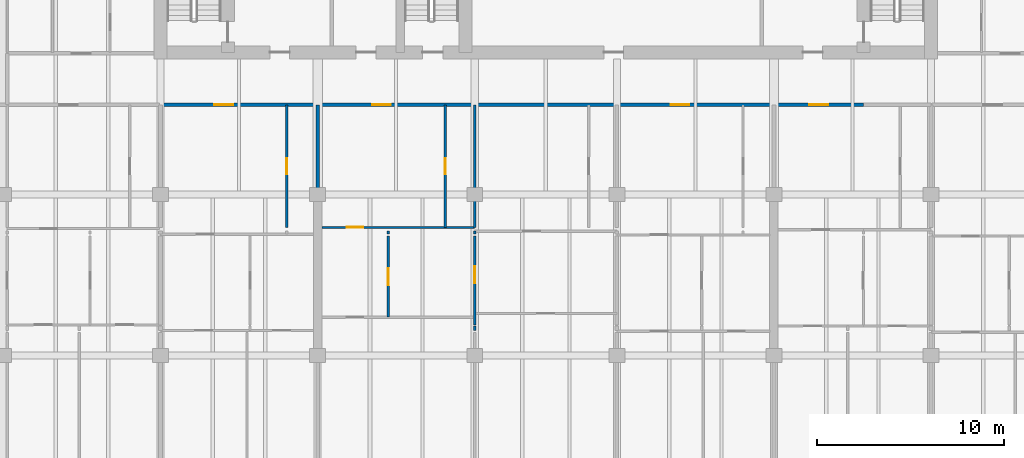
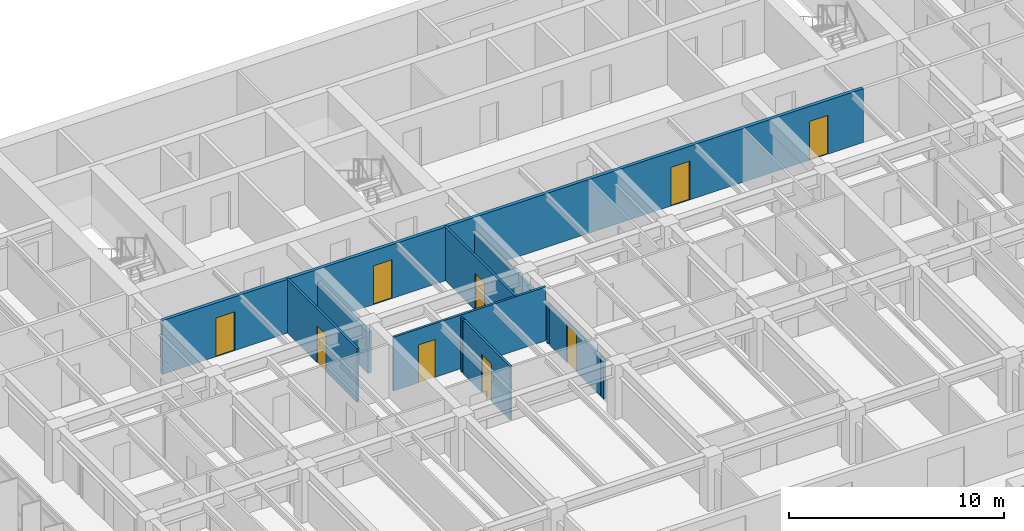
# One storey, part 9 of 19: 11 walls, 9 doors, 9 openings.
"""IFC4 building model written with IfcOpenShell, lengths in metres."""

from ifc_helpers import new_model, si_unit, direction, frame, frame_2d, origin, place, context, subcontext, project, spatial, rectangle, extrude, material, layer, layer_set, type_object, element, fill, save


model = new_model("IFC4")

# Units and contexts
model_context = context("Model", 3, precision=1e-05, world=origin(), true_north=direction((0.0, 1.0)))
body_context = subcontext(model_context, "Body", "Model", "MODEL_VIEW")
ifc_project = project(units=[si_unit("LENGTHUNIT", "METRE"), si_unit("AREAUNIT", "SQUARE_METRE"), si_unit("VOLUMEUNIT", "CUBIC_METRE"), si_unit("PLANEANGLEUNIT", "RADIAN"), si_unit("MASSUNIT", "GRAM", prefix="KILO")], contexts=[model_context])

# Site, building, storey
site_placement = place(None, origin())
site = spatial("IfcSite", under=ifc_project, at=site_placement, CompositionType="ELEMENT")
building_placement = place(site_placement, origin())
building = spatial("IfcBuilding", under=site, at=building_placement, Name="Caelmar Bay Residences", CompositionType="ELEMENT")
storey_placement = place(building_placement, frame((0.0, 0.0, 160.5)))
storey = spatial("IfcBuildingStorey", under=building, at=storey_placement, Name="L44", CompositionType="ELEMENT", Elevation=160.5)

# Wall, openings, doors
ifc_material_1 = material(Name="Double-stud acoustic fire-rated gypsum partition 180 mm")
ifc_layer_1 = layer(ifc_material_1, 0.179931640625)
ifc_layer_set_1 = layer_set([ifc_layer_1], Name="Double-stud acoustic fire-rated gypsum partition 180 mm")
wall_type_1 = type_object("IfcWallType", Name="W-COR-200", PredefinedType="PARTITIONING", material=ifc_layer_set_1)
wall_1_placement = place(storey_placement, frame((18.300048828125, 34.199951171875, 0.0), z_axis=(0.0, 0.0, 1.0), x_axis=(1.0, 0.0, 0.0)))
wall_1 = element("IfcWall", 1, at=wall_1_placement, inside=storey, type_object=wall_type_1, Name="L44 Partition Wall H123", PredefinedType="PARTITIONING", context=body_context, shape_type="SweptSolid", body=[
    extrude(rectangle(XDim=37.5859375, YDim=0.179931640625, at=frame_2d((18.79296875, 0.0))), origin(), (0.0, 0.0, 1.0), 3.050048828125),
])
opening_1_placement = place(wall_1_placement, frame((2.875, 0.0, 0.0)))
opening_1 = element("IfcOpeningElement", 2, at=opening_1_placement, cuts=wall_1, Name="Opening D-L44-129", PredefinedType="OPENING", context=body_context, shape_type="SweptSolid", body=[
    extrude(rectangle(XDim=1.0, YDim=2.199951171875, at=frame_2d((0.5, 1.10009765625))), frame((0.0, 0.099853515625, 0.0), z_axis=(0.0, -1.0, 0.0), x_axis=(1.0, 0.0, 0.0)), (0.0, 0.0, 1.0), 0.199951171875),
])
opening_2_placement = place(wall_1_placement, frame((11.31494140625, 0.0, 0.0)))
opening_2 = element("IfcOpeningElement", 3, at=opening_2_placement, cuts=wall_1, Name="Opening D-L44-135", PredefinedType="OPENING", context=body_context, shape_type="SweptSolid", body=[
    extrude(rectangle(XDim=1.0, YDim=2.199951171875, at=frame_2d((0.5, 1.10009765625))), frame((0.0, 0.099853515625, 0.0), z_axis=(0.0, -1.0, 0.0), x_axis=(1.0, 0.0, 0.0)), (0.0, 0.0, 1.0), 0.199951171875),
])
opening_3_placement = place(wall_1_placement, frame((27.27490234375, 0.0, 0.0)))
opening_3 = element("IfcOpeningElement", 4, at=opening_3_placement, cuts=wall_1, Name="Opening D-L44-145", PredefinedType="OPENING", context=body_context, shape_type="SweptSolid", body=[
    extrude(rectangle(XDim=1.0, YDim=2.199951171875, at=frame_2d((0.5, 1.10009765625))), frame((0.0, 0.099853515625, 0.0), z_axis=(0.0, -1.0, 0.0), x_axis=(1.0, 0.0, 0.0)), (0.0, 0.0, 1.0), 0.199951171875),
])
opening_4_placement = place(wall_1_placement, frame((34.693115234375, 0.0, 0.0)))
opening_4 = element("IfcOpeningElement", 5, at=opening_4_placement, cuts=wall_1, Name="Opening D-L44-151", PredefinedType="OPENING", context=body_context, shape_type="SweptSolid", body=[
    extrude(rectangle(XDim=1.0, YDim=2.199951171875, at=frame_2d((0.5, 1.10009765625))), frame((0.0, 0.099853515625, 0.0), z_axis=(0.0, -1.0, 0.0), x_axis=(1.0, 0.0, 0.0)), (0.0, 0.0, 1.0), 0.199951171875),
])
ifc_material_2 = material(Name="Fire-rated steel and walnut architectural door assembly", Category="steel")
ifc_layer_2 = layer(ifc_material_2, 0.050048828125)
ifc_layer_set_2 = layer_set([ifc_layer_2], Name="Fire-rated steel and walnut architectural door assembly")
door_type_1 = type_object("IfcDoorType", Name="D-UNIT-1000", OperationType="NOTDEFINED", PredefinedType="DOOR", material=ifc_layer_set_2)
door_1_placement = place(opening_1_placement, origin())
door_1 = element("IfcDoor", 6, at=door_1_placement, inside=storey, type_object=door_type_1, Name="L44 Residence 02 Apartment Hall Door", OperationType="SINGLE_SWING_RIGHT", OverallHeight=2.199951171875, OverallWidth=1.0, PredefinedType="DOOR", context=body_context, shape_type="SweptSolid", body=[
    extrude(rectangle(XDim=1.0, YDim=2.199951171875, at=frame_2d((0.5, 1.10009765625))), frame((0.0, 0.02490234375, 0.0), z_axis=(0.0, -1.0, 0.0), x_axis=(1.0, 0.0, 0.0)), (0.0, 0.0, 1.0), 0.050048828125),
])
fill(opening_1, door_1)
door_2_placement = place(opening_2_placement, origin())
door_2 = element("IfcDoor", 7, at=door_2_placement, inside=storey, type_object=door_type_1, Name="L44 Residence 03 Apartment Hall Door", OperationType="SINGLE_SWING_RIGHT", OverallHeight=2.199951171875, OverallWidth=1.0, PredefinedType="DOOR", context=body_context, shape_type="SweptSolid", body=[
    extrude(rectangle(XDim=1.0, YDim=2.199951171875, at=frame_2d((0.5, 1.10009765625))), frame((0.0, 0.02490234375, 0.0), z_axis=(0.0, -1.0, 0.0), x_axis=(1.0, 0.0, 0.0)), (0.0, 0.0, 1.0), 0.050048828125),
])
fill(opening_2, door_2)
door_3_placement = place(opening_3_placement, origin())
door_3 = element("IfcDoor", 8, at=door_3_placement, inside=storey, type_object=door_type_1, Name="L44 Residence 04 Apartment Hall Door", OperationType="SINGLE_SWING_RIGHT", OverallHeight=2.199951171875, OverallWidth=1.0, PredefinedType="DOOR", context=body_context, shape_type="SweptSolid", body=[
    extrude(rectangle(XDim=1.0, YDim=2.199951171875, at=frame_2d((0.5, 1.10009765625))), frame((0.0, 0.02490234375, 0.0), z_axis=(0.0, -1.0, 0.0), x_axis=(1.0, 0.0, 0.0)), (0.0, 0.0, 1.0), 0.050048828125),
])
fill(opening_3, door_3)
door_4_placement = place(opening_4_placement, origin())
door_4 = element("IfcDoor", 9, at=door_4_placement, inside=storey, type_object=door_type_1, Name="L44 Residence 05 Apartment Hall Door", OperationType="SINGLE_SWING_RIGHT", OverallHeight=2.199951171875, OverallWidth=1.0, PredefinedType="DOOR", context=body_context, shape_type="SweptSolid", body=[
    extrude(rectangle(XDim=1.0, YDim=2.199951171875, at=frame_2d((0.5, 1.10009765625))), frame((0.0, 0.02490234375, 0.0), z_axis=(0.0, -1.0, 0.0), x_axis=(1.0, 0.0, 0.0)), (0.0, 0.0, 1.0), 0.050048828125),
])
fill(opening_4, door_4)

# Wall, opening, door
ifc_material_3 = material(Name="Acoustic metal-stud gypsum partition 120 mm")
ifc_layer_3 = layer(ifc_material_3, 0.1201171875)
ifc_layer_set_3 = layer_set([ifc_layer_3], Name="Acoustic metal-stud gypsum partition 120 mm")
wall_type_2 = type_object("IfcWallType", Name="W-PRT-120", PredefinedType="PARTITIONING", material=ifc_layer_set_3)
wall_2_placement = place(storey_placement, frame((25.050048828125, 27.639892578125, 0.0), z_axis=(0.0, 0.0, 1.0), x_axis=(0.0, 1.0, 0.0)))
wall_2 = element("IfcWall", 10, at=wall_2_placement, inside=storey, type_object=wall_type_2, Name="L44 Partition Wall V029", PredefinedType="PARTITIONING", context=body_context, shape_type="SweptSolid", body=[
    extrude(rectangle(XDim=6.56005859375, YDim=0.1201171875, at=frame_2d((3.280029296875, 0.0))), origin(), (0.0, 0.0, 1.0), 3.050048828125),
])
opening_5_placement = place(wall_2_placement, frame((2.85498046875, 0.0, 0.0)))
opening_5 = element("IfcOpeningElement", 11, at=opening_5_placement, cuts=wall_2, Name="Opening D-L44-130", PredefinedType="OPENING", context=body_context, shape_type="SweptSolid", body=[
    extrude(rectangle(XDim=0.85009765625, YDim=2.10009765625, at=frame_2d((0.425048828125, 1.050048828125))), frame((0.0, 0.070068359375, 0.0), z_axis=(0.0, -1.0, 0.0), x_axis=(1.0, 0.0, 0.0)), (0.0, 0.0, 1.0), 0.14013671875),
])
ifc_material_4 = material(Name="Solid walnut timber interior door leaf and frame", Category="wood")
ifc_layer_4 = layer(ifc_material_4, 0.050048828125)
ifc_layer_set_4 = layer_set([ifc_layer_4], Name="Solid walnut timber interior door leaf and frame")
door_type_2 = type_object("IfcDoorType", Name="D-BATH-850", OperationType="NOTDEFINED", PredefinedType="DOOR", material=ifc_layer_set_4)
door_5_placement = place(opening_5_placement, origin())
door_5 = element("IfcDoor", 12, at=door_5_placement, inside=storey, type_object=door_type_2, Name="L44 Residence 02 Bathroom Door", OperationType="SINGLE_SWING_LEFT", OverallHeight=2.10009765625, OverallWidth=0.85009765625, PredefinedType="DOOR", context=body_context, shape_type="SweptSolid", body=[
    extrude(rectangle(XDim=0.85009765625, YDim=2.10009765625, at=frame_2d((0.425048828125, 1.050048828125))), frame((0.0, 0.02490234375, 0.0), z_axis=(0.0, -1.0, 0.0), x_axis=(1.0, 0.0, 0.0)), (0.0, 0.0, 1.0), 0.050048828125),
])
fill(opening_5, door_5)

wall_3_placement = place(storey_placement, frame((30.47998046875, 22.840087890625, 0.0), z_axis=(0.0, 0.0, 1.0), x_axis=(0.0, 1.0, 0.0)))
wall_3 = element("IfcWall", 13, at=wall_3_placement, inside=storey, type_object=wall_type_2, Name="L44 Partition Wall V036", PredefinedType="PARTITIONING", context=body_context, shape_type="SweptSolid", body=[
    extrude(rectangle(XDim=4.33984375, YDim=0.1201171875, at=frame_2d((2.169921875, 0.0))), origin(), (0.0, 0.0, 1.0), 3.050048828125),
])
opening_6_placement = place(wall_3_placement, frame((1.719970703125, 0.0, 0.0)))
opening_6 = element("IfcOpeningElement", 14, at=opening_6_placement, cuts=wall_3, Name="Opening D-L44-138", PredefinedType="OPENING", context=body_context, shape_type="SweptSolid", body=[
    extrude(rectangle(XDim=0.89990234375, YDim=2.14990234375, at=frame_2d((0.449951171875, 1.074951171875))), frame((0.0, 0.070068359375, 0.0), z_axis=(0.0, -1.0, 0.0), x_axis=(1.0, 0.0, 0.0)), (0.0, 0.0, 1.0), 0.14013671875),
])
ifc_layer_5 = layer(ifc_material_4, 0.050048828125)
ifc_layer_set_5 = layer_set([ifc_layer_5], Name="Solid walnut timber interior door leaf and frame")
door_type_3 = type_object("IfcDoorType", Name="D-ROOM-900", OperationType="NOTDEFINED", PredefinedType="DOOR", material=ifc_layer_set_5)
door_6_placement = place(opening_6_placement, origin())
door_6 = element("IfcDoor", 15, at=door_6_placement, inside=storey, type_object=door_type_3, Name="L44 Residence 03 Kitchen Door", OperationType="SINGLE_SWING_LEFT", OverallHeight=2.14990234375, OverallWidth=0.89990234375, PredefinedType="DOOR", context=body_context, shape_type="SweptSolid", body=[
    extrude(rectangle(XDim=0.89990234375, YDim=2.14990234375, at=frame_2d((0.449951171875, 1.074951171875))), frame((0.0, 0.02490234375, 0.0), z_axis=(0.0, -1.0, 0.0), x_axis=(1.0, 0.0, 0.0)), (0.0, 0.0, 1.0), 0.050048828125),
])
fill(opening_6, door_6)

# Wall
wall_4_placement = place(storey_placement, frame((30.47998046875, 27.280029296875, 0.0), z_axis=(0.0, 0.0, 1.0), x_axis=(0.0, 1.0, 0.0)))
element("IfcWall", 16, at=wall_4_placement, inside=storey, type_object=wall_type_2, Name="L44 Partition Wall V037", PredefinedType="PARTITIONING", context=body_context, shape_type="SweptSolid", body=[
    extrude(rectangle(XDim=0.159912109375, YDim=0.1201171875, at=frame_2d((0.080078125, 0.0))), origin(), (0.0, 0.0, 1.0), 3.050048828125),
])

# Wall, opening, door
wall_5_placement = place(storey_placement, frame((33.530029296875, 27.639892578125, 0.0), z_axis=(0.0, 0.0, 1.0), x_axis=(0.0, 1.0, 0.0)))
wall_5 = element("IfcWall", 17, at=wall_5_placement, inside=storey, type_object=wall_type_2, Name="L44 Partition Wall V039", PredefinedType="PARTITIONING", context=body_context, shape_type="SweptSolid", body=[
    extrude(rectangle(XDim=6.56005859375, YDim=0.1201171875, at=frame_2d((3.280029296875, 0.0))), origin(), (0.0, 0.0, 1.0), 3.050048828125),
])
opening_7_placement = place(wall_5_placement, frame((2.85498046875, 0.0, 0.0)))
opening_7 = element("IfcOpeningElement", 18, at=opening_7_placement, cuts=wall_5, Name="Opening D-L44-136", PredefinedType="OPENING", context=body_context, shape_type="SweptSolid", body=[
    extrude(rectangle(XDim=0.85009765625, YDim=2.10009765625, at=frame_2d((0.425048828125, 1.050048828125))), frame((0.0, 0.070068359375, 0.0), z_axis=(0.0, -1.0, 0.0), x_axis=(1.0, 0.0, 0.0)), (0.0, 0.0, 1.0), 0.14013671875),
])
door_7_placement = place(opening_7_placement, origin())
door_7 = element("IfcDoor", 19, at=door_7_placement, inside=storey, type_object=door_type_2, Name="L44 Residence 03 Guest Bathroom Door", OperationType="SINGLE_SWING_LEFT", OverallHeight=2.10009765625, OverallWidth=0.85009765625, PredefinedType="DOOR", context=body_context, shape_type="SweptSolid", body=[
    extrude(rectangle(XDim=0.85009765625, YDim=2.10009765625, at=frame_2d((0.425048828125, 1.050048828125))), frame((0.0, 0.02490234375, 0.0), z_axis=(0.0, -1.0, 0.0), x_axis=(1.0, 0.0, 0.0)), (0.0, 0.0, 1.0), 0.050048828125),
])
fill(opening_7, door_7)

# Wall
wall_6_placement = place(storey_placement, frame((35.10009765625, 22.1298828125, 0.0), z_axis=(0.0, 0.0, 1.0), x_axis=(0.0, 1.0, 0.0)))
element("IfcWall", 20, at=wall_6_placement, inside=storey, type_object=wall_type_2, Name="L44 Partition Wall V042", PredefinedType="PARTITIONING", context=body_context, shape_type="SweptSolid", body=[
    extrude(rectangle(XDim=0.240234375, YDim=0.1201171875, at=frame_2d((0.1201171875, 0.0))), origin(), (0.0, 0.0, 1.0), 2.262939453125),
])

# Wall, opening, door
wall_7_placement = place(storey_placement, frame((35.10009765625, 22.429931640625, 0.0), z_axis=(0.0, 0.0, 1.0), x_axis=(0.0, 1.0, 0.0)))
wall_7 = element("IfcWall", 21, at=wall_7_placement, inside=storey, type_object=wall_type_2, Name="L44 Partition Wall V043", PredefinedType="PARTITIONING", context=body_context, shape_type="SweptSolid", body=[
    extrude(rectangle(XDim=4.75, YDim=0.1201171875, at=frame_2d((2.375, 0.0))), origin(), (0.0, 0.0, 1.0), 2.262939453125),
])
opening_8_placement = place(wall_7_placement, frame((2.22998046875, 0.0, 0.0)))
opening_8 = element("IfcOpeningElement", 22, at=opening_8_placement, cuts=wall_7, Name="Opening D-L44-140", PredefinedType="OPENING", context=body_context, shape_type="SweptSolid", body=[
    extrude(rectangle(XDim=0.89990234375, YDim=2.14990234375, at=frame_2d((0.449951171875, 1.074951171875))), frame((0.0, 0.070068359375, 0.0), z_axis=(0.0, -1.0, 0.0), x_axis=(1.0, 0.0, 0.0)), (0.0, 0.0, 1.0), 0.14013671875),
])
door_8_placement = place(opening_8_placement, origin())
door_8 = element("IfcDoor", 23, at=door_8_placement, inside=storey, type_object=door_type_3, Name="L44 Residence 03 Family Room 1 Door", OperationType="SINGLE_SWING_LEFT", OverallHeight=2.14990234375, OverallWidth=0.89990234375, PredefinedType="DOOR", context=body_context, shape_type="SweptSolid", body=[
    extrude(rectangle(XDim=0.89990234375, YDim=2.14990234375, at=frame_2d((0.449951171875, 1.074951171875))), frame((0.0, 0.02490234375, 0.0), z_axis=(0.0, -1.0, 0.0), x_axis=(1.0, 0.0, 0.0)), (0.0, 0.0, 1.0), 0.050048828125),
])
fill(opening_8, door_8)

# Walls
wall_8_placement = place(storey_placement, frame((35.10009765625, 27.280029296875, 0.0), z_axis=(0.0, 0.0, 1.0), x_axis=(0.0, 1.0, 0.0)))
element("IfcWall", 24, at=wall_8_placement, inside=storey, type_object=wall_type_2, Name="L44 Partition Wall V044", PredefinedType="PARTITIONING", context=body_context, shape_type="SweptSolid", body=[
    extrude(rectangle(XDim=0.159912109375, YDim=0.1201171875, at=frame_2d((0.080078125, 0.0))), origin(), (0.0, 0.0, 1.0), 2.262939453125),
])
wall_9_placement = place(storey_placement, frame((35.10009765625, 27.639892578125, 0.0), z_axis=(0.0, 0.0, 1.0), x_axis=(0.0, 1.0, 0.0)))
element("IfcWall", 25, at=wall_9_placement, inside=storey, type_object=wall_type_2, Name="L44 Partition Wall V045", PredefinedType="PARTITIONING", context=body_context, shape_type="SweptSolid", body=[
    extrude(rectangle(XDim=6.56005859375, YDim=0.1201171875, at=frame_2d((3.280029296875, 0.0))), origin(), (0.0, 0.0, 1.0), 2.262939453125),
])

# Wall, opening, door
wall_10_placement = place(storey_placement, frame((26.919921875, 27.639892578125, 0.0), z_axis=(0.0, 0.0, 1.0), x_axis=(1.0, 0.0, 0.0)))
wall_10 = element("IfcWall", 26, at=wall_10_placement, inside=storey, type_object=wall_type_2, Name="L44 Partition Wall H120", PredefinedType="PARTITIONING", context=body_context, shape_type="SweptSolid", body=[
    extrude(rectangle(XDim=8.175048828125, YDim=0.1201171875, at=frame_2d((4.08740234375, 0.0))), origin(), (0.0, 0.0, 1.0), 3.050048828125),
])
opening_9_placement = place(wall_10_placement, frame((1.330078125, 0.0, 0.0)))
opening_9 = element("IfcOpeningElement", 27, at=opening_9_placement, cuts=wall_10, Name="Opening D-L44-137", PredefinedType="OPENING", context=body_context, shape_type="SweptSolid", body=[
    extrude(rectangle(XDim=0.89990234375, YDim=2.14990234375, at=frame_2d((0.449951171875, 1.074951171875))), frame((0.0, 0.070068359375, 0.0), z_axis=(0.0, -1.0, 0.0), x_axis=(1.0, 0.0, 0.0)), (0.0, 0.0, 1.0), 0.14013671875),
])
door_9_placement = place(opening_9_placement, origin())
door_9 = element("IfcDoor", 28, at=door_9_placement, inside=storey, type_object=door_type_3, Name="L44 Residence 03 Dining Room Door", OperationType="SINGLE_SWING_RIGHT", OverallHeight=2.14990234375, OverallWidth=0.89990234375, PredefinedType="DOOR", context=body_context, shape_type="SweptSolid", body=[
    extrude(rectangle(XDim=0.89990234375, YDim=2.14990234375, at=frame_2d((0.449951171875, 1.074951171875))), frame((0.0, 0.02490234375, 0.0), z_axis=(0.0, -1.0, 0.0), x_axis=(1.0, 0.0, 0.0)), (0.0, 0.0, 1.0), 0.050048828125),
])
fill(opening_9, door_9)

# Wall
ifc_material_5 = material(Name="Acoustic twin-stud fire-rated inter-tenancy partition 200 mm")
ifc_layer_6 = layer(ifc_material_5, 0.199951171875)
ifc_layer_set_6 = layer_set([ifc_layer_6], Name="Acoustic twin-stud fire-rated inter-tenancy partition 200 mm")
wall_type_3 = type_object("IfcWallType", Name="W-PTY-200", PredefinedType="PARTITIONING", material=ifc_layer_set_6)
wall_11_placement = place(storey_placement, frame((26.699951171875, 29.405029296875, 0.0), z_axis=(0.0, 0.0, 1.0), x_axis=(0.0, 1.0, 0.0)))
element("IfcWall", 29, at=wall_11_placement, inside=storey, type_object=wall_type_3, Name="L44 Partition Wall V033", PredefinedType="PARTITIONING", context=body_context, shape_type="SweptSolid", body=[
    extrude(rectangle(XDim=4.794921875, YDim=0.199951171875, at=frame_2d((2.3974609375, 0.0))), origin(), (0.0, 0.0, 1.0), 2.3349609375),
])

save(model, "model.ifc")
